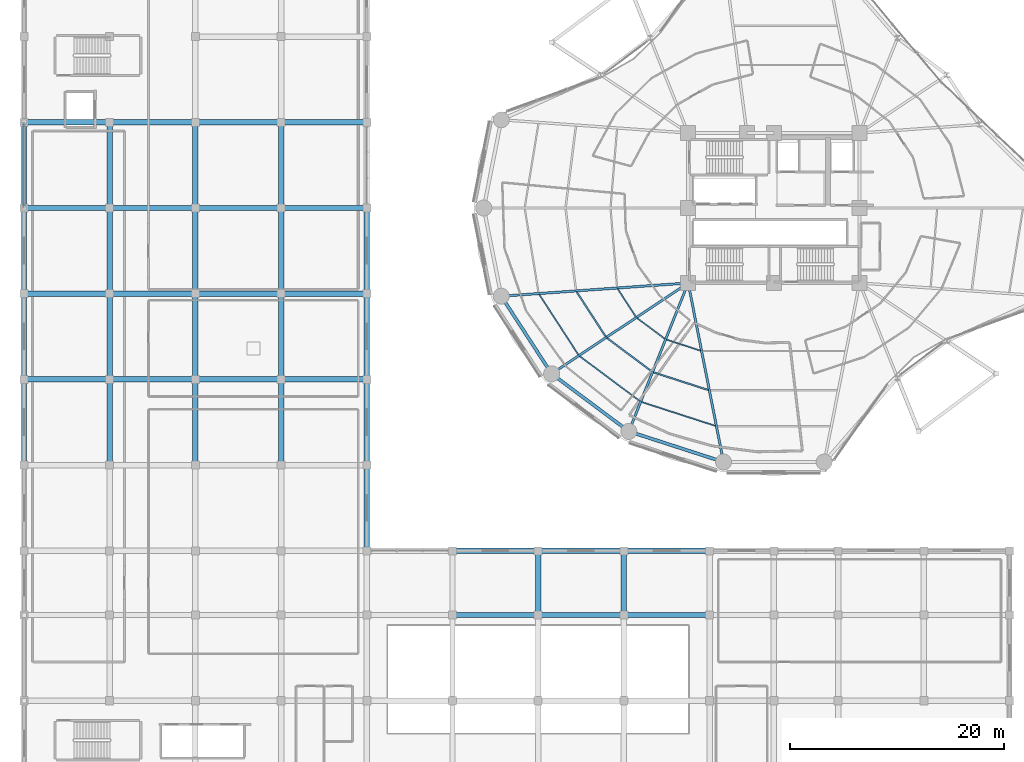
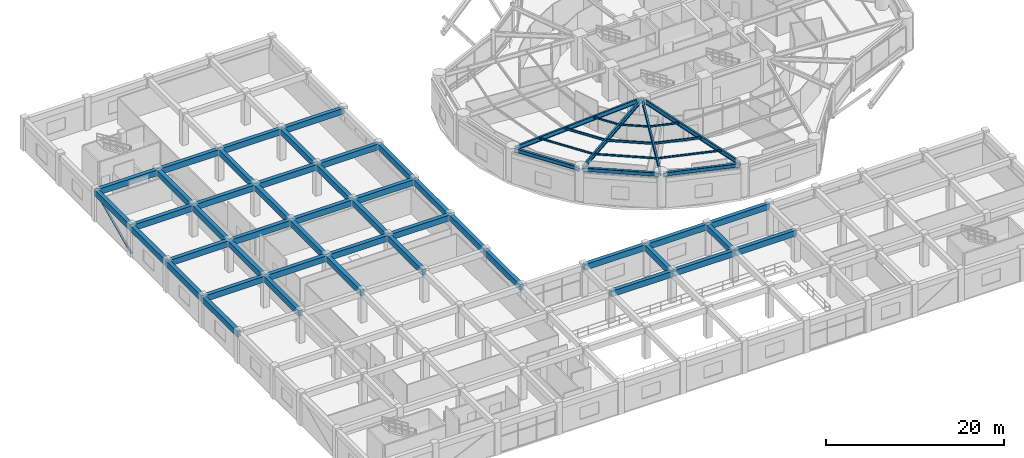
# One storey, part 11 of 55: 60 beams, 1 member.
"""IFC4 building model written with IfcOpenShell, lengths in metres."""

from ifc_helpers import new_model, si_unit, direction, frame, origin, origin_2d, place, context, subcontext, project, spatial, rectangle, hollow_circle, i_section, extrude, material, material_profile, profile_set, type_object, element, save


model = new_model("IFC4")

# Units and contexts
model_context = context("Model", 3, precision=1e-05, world=origin(), true_north=direction((0.0, 1.0)))
body_context = subcontext(model_context, "Body", "Model", "MODEL_VIEW")
ifc_project = project(units=[si_unit("LENGTHUNIT", "METRE"), si_unit("AREAUNIT", "SQUARE_METRE"), si_unit("VOLUMEUNIT", "CUBIC_METRE"), si_unit("PLANEANGLEUNIT", "RADIAN"), si_unit("MASSUNIT", "GRAM", prefix="KILO")], contexts=[model_context])

# Site, building, storey
site_placement = place(None, origin())
site = spatial("IfcSite", under=ifc_project, at=site_placement, CompositionType="ELEMENT")
building_placement = place(site_placement, origin())
building = spatial("IfcBuilding", under=site, at=building_placement, Name="Kelanora Arch Commons", CompositionType="ELEMENT")
storey_placement = place(building_placement, frame((0.0, 0.0, 4.5)))
storey = spatial("IfcBuildingStorey", under=building, at=storey_placement, Name="L01", CompositionType="ELEMENT", Elevation=4.5)

# Beams
ifc_material_1 = material(Name="Steel S355", Category="steel")
ifc_material_profile_1 = material_profile(ifc_material_1, i_section(OverallWidth=0.14990234375, OverallDepth=0.300048828125, WebThickness=0.007080078125, FlangeThickness=0.0107421875, FilletRadius=0.014892578125, at=origin_2d()), Name="IPE300")
ifc_profile_set_1 = profile_set([ifc_material_profile_1], Name="Steel S355")
beam_type_1 = type_object("IfcBeamType", Name="BM-JST-01", PredefinedType="JOIST", material=ifc_profile_set_1)
beam_1_placement = place(storey_placement, frame((55.578125, 50.187255859375, 4.050048828125), z_axis=(0.544551588245, -0.838727350061, 0.0), x_axis=(0.838727350061, 0.544551588245, 0.0)))
element("IfcBeam", 1, at=beam_1_placement, inside=storey, type_object=beam_type_1, Name="Secondary Chord Joist BJB-20 L01", PredefinedType="JOIST", context=body_context, shape_type="SweptSolid", body=[
    extrude(i_section(OverallWidth=0.14990234375, OverallDepth=0.300048828125, WebThickness=0.007080078125, FlangeThickness=0.0107421875, FilletRadius=0.014892578125, at=origin_2d()), origin(), (0.0, 0.0, 1.0), 5.010986328125),
])
beam_2_placement = place(storey_placement, frame((58.42138671875, 45.8623046875, 4.050048828125), z_axis=(0.801478251559, -0.598023922831, 0.0), x_axis=(0.598023922831, 0.801478251559, 0.0)))
element("IfcBeam", 2, at=beam_2_placement, inside=storey, type_object=beam_type_1, Name="Secondary Chord Joist BJB-22 L01", PredefinedType="JOIST", context=body_context, shape_type="SweptSolid", body=[
    extrude(i_section(OverallWidth=0.14990234375, OverallDepth=0.300048828125, WebThickness=0.007080078125, FlangeThickness=0.0107421875, FilletRadius=0.014892578125, at=origin_2d()), origin(), (0.0, 0.0, 1.0), 5.223388671875),
])
beam_3_placement = place(storey_placement, frame((62.7568359375, 42.66162109375, 4.050048828125), z_axis=(0.951412209627, -0.307920131482, 0.0), x_axis=(0.307920131482, 0.951412209627, 0.0)))
element("IfcBeam", 3, at=beam_3_placement, inside=storey, type_object=beam_type_1, Name="Secondary Chord Joist BJB-24 L01", PredefinedType="JOIST", context=body_context, shape_type="SweptSolid", body=[
    extrude(i_section(OverallWidth=0.14990234375, OverallDepth=0.300048828125, WebThickness=0.007080078125, FlangeThickness=0.0107421875, FilletRadius=0.014892578125, at=origin_2d()), origin(), (0.0, 0.0, 1.0), 5.4033203125),
])
ifc_material_profile_2 = material_profile(ifc_material_1, i_section(OverallWidth=0.1201171875, OverallDepth=0.239990234375, WebThickness=0.006103515625, FlangeThickness=0.009765625, FilletRadius=0.014892578125, at=origin_2d()), Name="IPE240")
ifc_profile_set_2 = profile_set([ifc_material_profile_2], Name="Steel S355")
beam_type_2 = type_object("IfcBeamType", Name="BM-JST-02", PredefinedType="JOIST", material=ifc_profile_set_2)
beam_4_placement = place(storey_placement, frame((59.41650390625, 50.458984375, 4.080078125), z_axis=(0.544591105858, -0.838701691557, 0.0), x_axis=(0.838701691557, 0.544591105858, 0.0)))
element("IfcBeam", 4, at=beam_4_placement, inside=storey, type_object=beam_type_2, Name="Secondary Chord Joist BJA-20 L01", PredefinedType="JOIST", context=body_context, shape_type="SweptSolid", body=[
    extrude(i_section(OverallWidth=0.1201171875, OverallDepth=0.239990234375, WebThickness=0.006103515625, FlangeThickness=0.009765625, FilletRadius=0.014892578125, at=origin_2d()), origin(), (0.0, 0.0, 1.0), 3.111328125),
])
beam_5_placement = place(storey_placement, frame((52.0888671875, 49.940185546875, 4.080078125), z_axis=(0.544550165372, -0.838728273873, 0.0), x_axis=(0.838728273873, 0.544550165372, 0.0)))
element("IfcBeam", 5, at=beam_5_placement, inside=storey, type_object=beam_type_2, Name="Secondary Chord Joist BJC-20 L01", PredefinedType="JOIST", context=body_context, shape_type="SweptSolid", body=[
    extrude(i_section(OverallWidth=0.1201171875, OverallDepth=0.239990234375, WebThickness=0.006103515625, FlangeThickness=0.009765625, FilletRadius=0.014892578125, at=origin_2d()), origin(), (0.0, 0.0, 1.0), 6.738037109375),
])
beam_6_placement = place(storey_placement, frame((61.22509765625, 47.727294921875, 4.080078125), z_axis=(0.801513822608, -0.59797624716, 0.0), x_axis=(0.59797624716, 0.801513822608, 0.0)))
element("IfcBeam", 6, at=beam_6_placement, inside=storey, type_object=beam_type_2, Name="Secondary Chord Joist BJA-22 L01", PredefinedType="JOIST", context=body_context, shape_type="SweptSolid", body=[
    extrude(i_section(OverallWidth=0.1201171875, OverallDepth=0.239990234375, WebThickness=0.006103515625, FlangeThickness=0.009765625, FilletRadius=0.014892578125, at=origin_2d()), origin(), (0.0, 0.0, 1.0), 3.245849609375),
])
beam_7_placement = place(storey_placement, frame((55.87255859375, 44.16650390625, 4.080078125), z_axis=(0.80149131963, -0.598006408459, 0.0), x_axis=(0.598006408459, 0.80149131963, 0.0)))
element("IfcBeam", 7, at=beam_7_placement, inside=storey, type_object=beam_type_2, Name="Secondary Chord Joist BJC-22 L01", PredefinedType="JOIST", context=body_context, shape_type="SweptSolid", body=[
    extrude(i_section(OverallWidth=0.1201171875, OverallDepth=0.239990234375, WebThickness=0.006103515625, FlangeThickness=0.009765625, FilletRadius=0.014892578125, at=origin_2d()), origin(), (0.0, 0.0, 1.0), 7.021240234375),
])
beam_8_placement = place(storey_placement, frame((63.9755859375, 45.709228515625, 4.080078125), z_axis=(0.951422608074, -0.30788800049, 0.0), x_axis=(0.30788800049, 0.951422608074, 0.0)))
element("IfcBeam", 8, at=beam_8_placement, inside=storey, type_object=beam_type_2, Name="Secondary Chord Joist BJA-24 L01", PredefinedType="JOIST", context=body_context, shape_type="SweptSolid", body=[
    extrude(i_section(OverallWidth=0.1201171875, OverallDepth=0.239990234375, WebThickness=0.006103515625, FlangeThickness=0.009765625, FilletRadius=0.014892578125, at=origin_2d()), origin(), (0.0, 0.0, 1.0), 3.359619140625),
])
beam_9_placement = place(storey_placement, frame((61.64892578125, 39.890625, 4.080078125), z_axis=(0.951410915705, -0.307924129418, 0.0), x_axis=(0.307924129418, 0.951410915705, 0.0)))
element("IfcBeam", 9, at=beam_9_placement, inside=storey, type_object=beam_type_2, Name="Secondary Chord Joist BJC-24 L01", PredefinedType="JOIST", context=body_context, shape_type="SweptSolid", body=[
    extrude(i_section(OverallWidth=0.1201171875, OverallDepth=0.239990234375, WebThickness=0.006103515625, FlangeThickness=0.009765625, FilletRadius=0.014892578125, at=origin_2d()), origin(), (0.0, 0.0, 1.0), 7.260986328125),
])
ifc_material_2 = material(Name="Concrete C40/50", Category="concrete")
ifc_material_profile_3 = material_profile(ifc_material_2, rectangle(XDim=0.5, YDim=0.800048828125, at=origin_2d()), Name="RCB500x800")
ifc_profile_set_3 = profile_set([ifc_material_profile_3], Name="Concrete C40/50")
beam_type_3 = type_object("IfcBeamType", Name="BM-MKT-RC1", PredefinedType="BEAM", material=ifc_profile_set_3)
for number, where, z_axis, x_axis, name in (
    (10, (4.0, 34.0, 3.840087890625), (0.0, 1.0, 0.0), (-1.0, 0.0, 0.0), "Market/Basement Frame Beam 010 L01"),
    (11, (4.0, 42.0, 3.840087890625), (1.0, 0.0, 0.0), (0.0, 1.0, 0.0), "Market/Basement Frame Beam 011 L01"),
    (12, (4.0, 42.0, 3.840087890625), (0.0, 1.0, 0.0), (-1.0, 0.0, 0.0), "Market/Basement Frame Beam 012 L01"),
    (13, (4.0, 50.0, 3.840087890625), (1.0, 0.0, 0.0), (0.0, 1.0, 0.0), "Market/Basement Frame Beam 013 L01"),
    (14, (4.0, 50.0, 3.840087890625), (0.0, 1.0, 0.0), (-1.0, 0.0, 0.0), "Market/Basement Frame Beam 014 L01"),
    (15, (4.0, 58.0, 3.840087890625), (1.0, 0.0, 0.0), (0.0, 1.0, 0.0), "Market/Basement Frame Beam 015 L01"),
    (16, (4.0, 58.0, 3.840087890625), (0.0, 1.0, 0.0), (-1.0, 0.0, 0.0), "Market/Basement Frame Beam 016 L01"),
    (17, (4.0, 66.0, 3.840087890625), (1.0, 0.0, 0.0), (0.0, 1.0, 0.0), "Market/Basement Frame Beam 017 L01"),
    (18, (12.0, 34.0, 3.840087890625), (0.0, 1.0, 0.0), (-1.0, 0.0, 0.0), "Market/Basement Frame Beam 029 L01"),
    (19, (12.0, 42.0, 3.840087890625), (1.0, 0.0, 0.0), (0.0, 1.0, 0.0), "Market/Basement Frame Beam 030 L01"),
    (20, (12.0, 42.0, 3.840087890625), (0.0, 1.0, 0.0), (-1.0, 0.0, 0.0), "Market/Basement Frame Beam 031 L01"),
    (21, (12.0, 50.0, 3.840087890625), (1.0, 0.0, 0.0), (0.0, 1.0, 0.0), "Market/Basement Frame Beam 032 L01"),
    (22, (12.0, 50.0, 3.840087890625), (0.0, 1.0, 0.0), (-1.0, 0.0, 0.0), "Market/Basement Frame Beam 033 L01"),
    (23, (12.0, 58.0, 3.840087890625), (1.0, 0.0, 0.0), (0.0, 1.0, 0.0), "Market/Basement Frame Beam 034 L01"),
    (24, (12.0, 58.0, 3.840087890625), (0.0, 1.0, 0.0), (-1.0, 0.0, 0.0), "Market/Basement Frame Beam 035 L01"),
    (25, (12.0, 66.0, 3.840087890625), (1.0, 0.0, 0.0), (0.0, 1.0, 0.0), "Market/Basement Frame Beam 036 L01"),
    (26, (20.0, 34.0, 3.840087890625), (0.0, 1.0, 0.0), (-1.0, 0.0, 0.0), "Market/Basement Frame Beam 047 L01"),
    (27, (20.0, 42.0, 3.840087890625), (1.0, 0.0, 0.0), (0.0, 1.0, 0.0), "Market/Basement Frame Beam 048 L01"),
    (28, (20.0, 42.0, 3.840087890625), (0.0, 1.0, 0.0), (-1.0, 0.0, 0.0), "Market/Basement Frame Beam 049 L01"),
    (29, (20.0, 50.0, 3.840087890625), (1.0, 0.0, 0.0), (0.0, 1.0, 0.0), "Market/Basement Frame Beam 050 L01"),
    (30, (20.0, 50.0, 3.840087890625), (0.0, 1.0, 0.0), (-1.0, 0.0, 0.0), "Market/Basement Frame Beam 051 L01"),
    (31, (20.0, 58.0, 3.840087890625), (1.0, 0.0, 0.0), (0.0, 1.0, 0.0), "Market/Basement Frame Beam 052 L01"),
    (32, (20.0, 58.0, 3.840087890625), (0.0, 1.0, 0.0), (-1.0, 0.0, 0.0), "Market/Basement Frame Beam 053 L01"),
    (33, (20.0, 66.0, 3.840087890625), (1.0, 0.0, 0.0), (0.0, 1.0, 0.0), "Market/Basement Frame Beam 054 L01"),
    (34, (28.0, 34.0, 3.840087890625), (0.0, 1.0, 0.0), (-1.0, 0.0, 0.0), "Market/Basement Frame Beam 068 L01"),
    (35, (28.0, 42.0, 3.840087890625), (1.0, 0.0, 0.0), (0.0, 1.0, 0.0), "Market/Basement Frame Beam 069 L01"),
    (36, (28.0, 42.0, 3.840087890625), (0.0, 1.0, 0.0), (-1.0, 0.0, 0.0), "Market/Basement Frame Beam 070 L01"),
    (37, (28.0, 50.0, 3.840087890625), (1.0, 0.0, 0.0), (0.0, 1.0, 0.0), "Market/Basement Frame Beam 071 L01"),
    (38, (28.0, 50.0, 3.840087890625), (0.0, 1.0, 0.0), (-1.0, 0.0, 0.0), "Market/Basement Frame Beam 072 L01"),
    (39, (28.0, 58.0, 3.840087890625), (1.0, 0.0, 0.0), (0.0, 1.0, 0.0), "Market/Basement Frame Beam 073 L01"),
    (40, (28.0, 58.0, 3.840087890625), (0.0, 1.0, 0.0), (-1.0, 0.0, 0.0), "Market/Basement Frame Beam 074 L01"),
    (41, (28.0, 66.0, 3.840087890625), (1.0, 0.0, 0.0), (0.0, 1.0, 0.0), "Market/Basement Frame Beam 075 L01"),
    (42, (36.0, 26.0, 3.840087890625), (0.0, 1.0, 0.0), (-1.0, 0.0, 0.0), "Market/Basement Frame Beam 087 L01"),
    (43, (36.0, 34.0, 3.840087890625), (0.0, 1.0, 0.0), (-1.0, 0.0, 0.0), "Market/Basement Frame Beam 088 L01"),
    (44, (36.0, 42.0, 3.840087890625), (0.0, 1.0, 0.0), (-1.0, 0.0, 0.0), "Market/Basement Frame Beam 089 L01"),
    (45, (36.0, 50.0, 3.840087890625), (0.0, 1.0, 0.0), (-1.0, 0.0, 0.0), "Market/Basement Frame Beam 090 L01"),
    (46, (44.0, 20.0, 3.840087890625), (1.0, 0.0, 0.0), (0.0, 1.0, 0.0), "Market/Basement Frame Beam 098 L01"),
    (47, (44.0, 26.0, 3.840087890625), (1.0, 0.0, 0.0), (0.0, 1.0, 0.0), "Market/Basement Frame Beam 100 L01"),
    (48, (52.0, 20.0, 3.840087890625), (1.0, 0.0, 0.0), (0.0, 1.0, 0.0), "Market/Basement Frame Beam 105 L01"),
):
    element("IfcBeam", number, at=place(storey_placement, frame(where, z_axis=z_axis, x_axis=x_axis)), inside=storey, type_object=beam_type_3, Name=name, PredefinedType="BEAM", context=body_context, shape_type="SweptSolid", body=[
        extrude(rectangle(XDim=0.5, YDim=0.800048828125, at=origin_2d()), origin(), (0.0, 0.0, 1.0), 8.0),
    ])
beam_10_placement = place(storey_placement, frame((52.0, 20.0, 3.840087890625), z_axis=(0.0, 1.0, 0.0), x_axis=(-1.0, 0.0, 0.0)))
element("IfcBeam", 49, at=beam_10_placement, inside=storey, type_object=beam_type_3, Name="Market/Basement Frame Beam 106 L01", PredefinedType="BEAM", context=body_context, shape_type="SweptSolid", body=[
    extrude(rectangle(XDim=0.5, YDim=0.800048828125, at=origin_2d()), origin(), (0.0, 0.0, 1.0), 6.0),
])
for number, where, z_axis, x_axis, name in (
    (50, (52.0, 26.0, 3.840087890625), (1.0, 0.0, 0.0), (0.0, 1.0, 0.0), "Market/Basement Frame Beam 107 L01"),
    (51, (60.0, 20.0, 3.840087890625), (1.0, 0.0, 0.0), (0.0, 1.0, 0.0), "Market/Basement Frame Beam 112 L01"),
):
    element("IfcBeam", number, at=place(storey_placement, frame(where, z_axis=z_axis, x_axis=x_axis)), inside=storey, type_object=beam_type_3, Name=name, PredefinedType="BEAM", context=body_context, shape_type="SweptSolid", body=[
        extrude(rectangle(XDim=0.5, YDim=0.800048828125, at=origin_2d()), origin(), (0.0, 0.0, 1.0), 8.0),
    ])
beam_11_placement = place(storey_placement, frame((60.0, 20.0, 3.840087890625), z_axis=(0.0, 1.0, 0.0), x_axis=(-1.0, 0.0, 0.0)))
element("IfcBeam", 52, at=beam_11_placement, inside=storey, type_object=beam_type_3, Name="Market/Basement Frame Beam 113 L01", PredefinedType="BEAM", context=body_context, shape_type="SweptSolid", body=[
    extrude(rectangle(XDim=0.5, YDim=0.800048828125, at=origin_2d()), origin(), (0.0, 0.0, 1.0), 6.0),
])
beam_12_placement = place(storey_placement, frame((60.0, 26.0, 3.840087890625), z_axis=(1.0, 0.0, 0.0), x_axis=(0.0, 1.0, 0.0)))
element("IfcBeam", 53, at=beam_12_placement, inside=storey, type_object=beam_type_3, Name="Market/Basement Frame Beam 114 L01", PredefinedType="BEAM", context=body_context, shape_type="SweptSolid", body=[
    extrude(rectangle(XDim=0.5, YDim=0.800048828125, at=origin_2d()), origin(), (0.0, 0.0, 1.0), 8.0),
])
ifc_material_profile_4 = material_profile(ifc_material_1, i_section(OverallWidth=0.219970703125, OverallDepth=0.60009765625, WebThickness=0.011962890625, FlangeThickness=0.01904296875, FilletRadius=0.02392578125, at=origin_2d()), Name="IPE600")
ifc_profile_set_4 = profile_set([ifc_material_profile_4], Name="Steel S355")
beam_type_4 = type_object("IfcBeamType", Name="BM-RAD-Z1", PredefinedType="BEAM", material=ifc_profile_set_4)
beam_13_placement = place(storey_placement, frame((66.0, 51.0, 3.89990234375), z_axis=(-0.997500932078, -0.070653312055, 0.0), x_axis=(0.070653312055, -0.997500932078, 0.0)))
element("IfcBeam", 54, at=beam_13_placement, inside=storey, type_object=beam_type_4, Name="Radial Floor Girder BR-20 L01", PredefinedType="BEAM", context=body_context, shape_type="SweptSolid", body=[
    extrude(i_section(OverallWidth=0.219970703125, OverallDepth=0.60009765625, WebThickness=0.011962890625, FlangeThickness=0.01904296875, FilletRadius=0.02392578125, at=origin_2d()), origin(), (0.0, 0.0, 1.0), 17.2705078125),
])
beam_14_placement = place(storey_placement, frame((66.0, 51.0, 3.89990234375), z_axis=(-0.832592623638, -0.553885839379, 0.0), x_axis=(0.553885839379, -0.832592623638, 0.0)))
element("IfcBeam", 55, at=beam_14_placement, inside=storey, type_object=beam_type_4, Name="Radial Floor Girder BR-22 L01", PredefinedType="BEAM", context=body_context, shape_type="SweptSolid", body=[
    extrude(i_section(OverallWidth=0.219970703125, OverallDepth=0.60009765625, WebThickness=0.011962890625, FlangeThickness=0.01904296875, FilletRadius=0.02392578125, at=origin_2d()), origin(), (0.0, 0.0, 1.0), 15.0869140625),
])
beam_15_placement = place(storey_placement, frame((66.0, 51.0, 3.89990234375), z_axis=(-0.371296182896, -0.928514482691, 0.0), x_axis=(0.928514482691, -0.371296182896, 0.0)))
element("IfcBeam", 56, at=beam_15_placement, inside=storey, type_object=beam_type_4, Name="Radial Floor Girder BR-24 L01", PredefinedType="BEAM", context=body_context, shape_type="SweptSolid", body=[
    extrude(i_section(OverallWidth=0.219970703125, OverallDepth=0.60009765625, WebThickness=0.011962890625, FlangeThickness=0.01904296875, FilletRadius=0.02392578125, at=origin_2d()), origin(), (0.0, 0.0, 1.0), 14.700439453125),
])
beam_16_placement = place(storey_placement, frame((66.0, 51.0, 3.89990234375), z_axis=(0.193555256292, -0.981089375522, 0.0), x_axis=(0.981089375522, 0.193555256292, 0.0)))
element("IfcBeam", 57, at=beam_16_placement, inside=storey, type_object=beam_type_4, Name="Radial Floor Girder BR-26 L01", PredefinedType="BEAM", context=body_context, shape_type="SweptSolid", body=[
    extrude(i_section(OverallWidth=0.219970703125, OverallDepth=0.60009765625, WebThickness=0.011962890625, FlangeThickness=0.01904296875, FilletRadius=0.02392578125, at=origin_2d()), origin(), (0.0, 0.0, 1.0), 16.81640625),
])
ifc_material_profile_5 = material_profile(ifc_material_1, i_section(OverallWidth=0.300048828125, OverallDepth=0.60009765625, WebThickness=0.015380859375, FlangeThickness=0.030029296875, FilletRadius=0.027099609375, at=origin_2d()), Name="HEB600")
ifc_profile_set_5 = profile_set([ifc_material_profile_5], Name="Steel S355")
beam_type_5 = type_object("IfcBeamType", Name="BM-SPN-Z1", PredefinedType="SPANDREL", material=ifc_profile_set_5)
beam_17_placement = place(storey_placement, frame((48.6728515625, 49.57958984375, 3.89990234375), z_axis=(0.544580949539, -0.838708286235, 0.0), x_axis=(0.838708286235, 0.544580949539, 0.0)))
element("IfcBeam", 58, at=beam_17_placement, inside=storey, type_object=beam_type_5, Name="Perimeter Spandrel Beam BS-20 L01", PredefinedType="SPANDREL", context=body_context, shape_type="SweptSolid", body=[
    extrude(i_section(OverallWidth=0.300048828125, OverallDepth=0.60009765625, WebThickness=0.015380859375, FlangeThickness=0.030029296875, FilletRadius=0.027099609375, at=origin_2d()), origin(), (0.0, 0.0, 1.0), 8.195068359375),
])
beam_18_placement = place(storey_placement, frame((53.431884765625, 42.39013671875, 3.89990234375), z_axis=(0.801474585329, -0.598028836322, 0.0), x_axis=(0.598028836322, 0.801474585329, 0.0)))
element("IfcBeam", 59, at=beam_18_placement, inside=storey, type_object=beam_type_5, Name="Perimeter Spandrel Beam BS-22 L01", PredefinedType="SPANDREL", context=body_context, shape_type="SweptSolid", body=[
    extrude(i_section(OverallWidth=0.300048828125, OverallDepth=0.60009765625, WebThickness=0.015380859375, FlangeThickness=0.030029296875, FilletRadius=0.027099609375, at=origin_2d()), origin(), (0.0, 0.0, 1.0), 8.549072265625),
])
beam_19_placement = place(storey_placement, frame((60.669189453125, 37.078369140625, 3.89990234375), z_axis=(0.951411479564, -0.307922387224, 0.0), x_axis=(0.307922387224, 0.951411479564, 0.0)))
element("IfcBeam", 60, at=beam_19_placement, inside=storey, type_object=beam_type_5, Name="Perimeter Spandrel Beam BS-24 L01", PredefinedType="SPANDREL", context=body_context, shape_type="SweptSolid", body=[
    extrude(i_section(OverallWidth=0.300048828125, OverallDepth=0.60009765625, WebThickness=0.015380859375, FlangeThickness=0.030029296875, FilletRadius=0.027099609375, at=origin_2d()), origin(), (0.0, 0.0, 1.0), 8.84912109375),
])

# Member
ifc_material_profile_6 = material_profile(ifc_material_1, hollow_circle(Radius=0.136474609375, WallThickness=0.012451171875, at=origin_2d()), Name="CHS273x12.5")
ifc_profile_set_6 = profile_set([ifc_material_profile_6], Name="Steel S355")
member_type = type_object("IfcMemberType", Name="MEM-MKT-BRACE", PredefinedType="BRACE", material=ifc_profile_set_6)
member_placement = place(storey_placement, frame((4.0, 58.0, 0.25), z_axis=(0.0, 0.907629151412, 0.419772942799), x_axis=(-1.0, 0.0, 0.0)))
element("IfcMember", 61, at=member_placement, inside=storey, type_object=member_type, Name="Market Hall Lateral Brace 04 L01", PredefinedType="BRACE", context=body_context, shape_type="SweptSolid", body=[
    extrude(hollow_circle(Radius=0.136474609375, WallThickness=0.012451171875, at=origin_2d()), origin(), (0.0, 0.0, 1.0), 8.814208984375),
])

save(model, "model.ifc")
